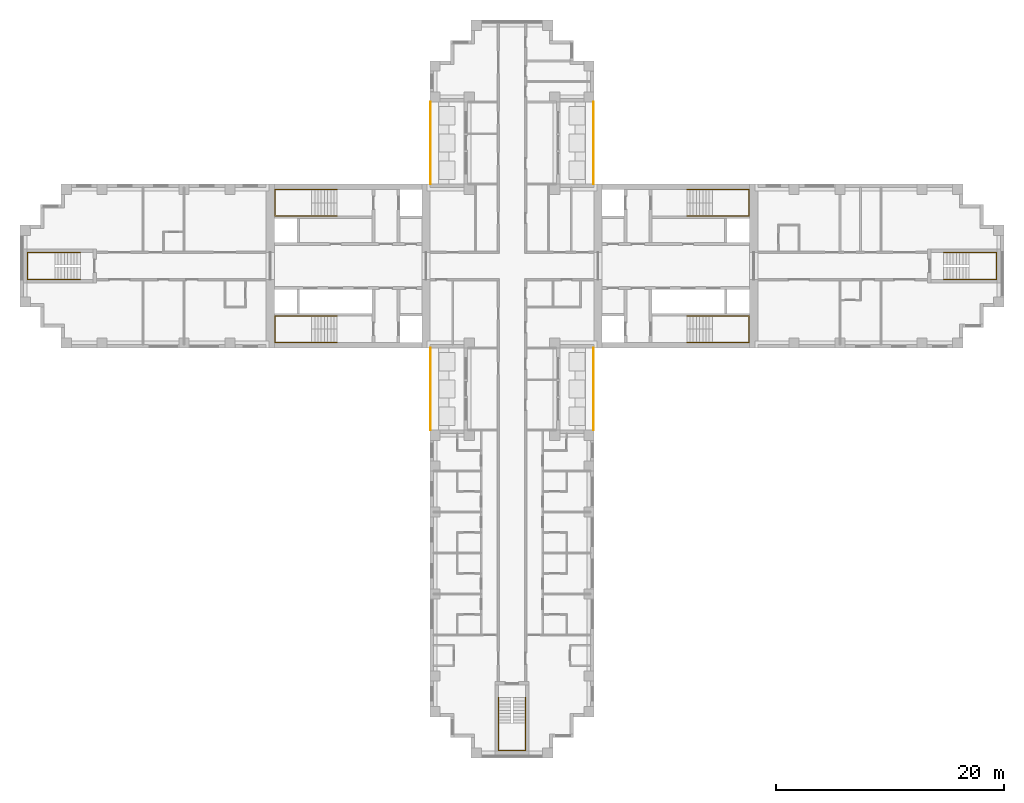
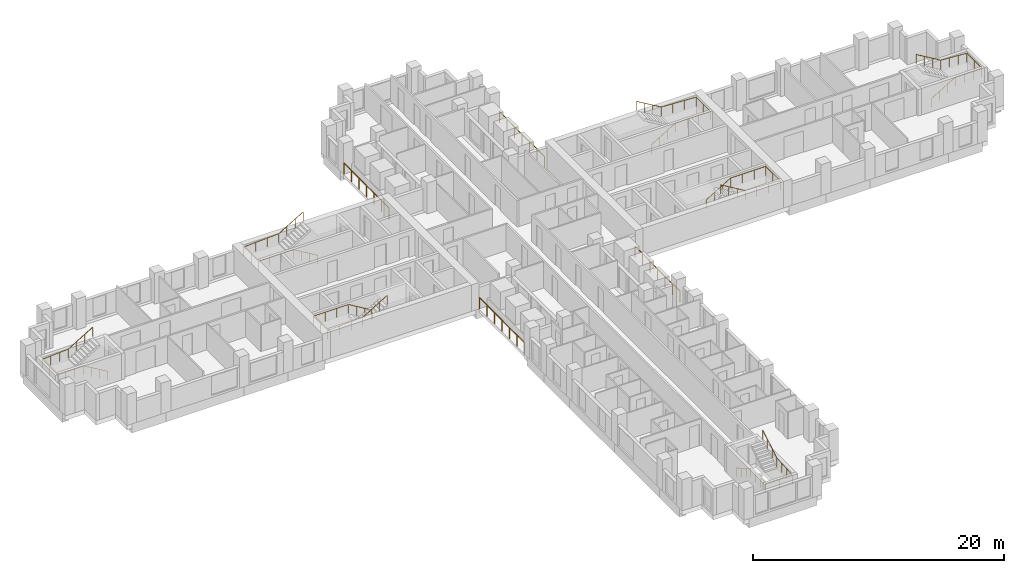
# One storey, part 13 of 14: 11 railings.
"""IFC4 building model written with IfcOpenShell, lengths in metres."""

from ifc_helpers import new_model, si_unit, direction, frame, origin, origin_2d, place, context, subcontext, project, spatial, circle, extrude, material, type_object, element, save


model = new_model("IFC4")

# Units and contexts
model_context = context("Model", 3, precision=1e-05, world=origin(), true_north=direction((0.0, 1.0)))
body_context = subcontext(model_context, "Body", "Model", "MODEL_VIEW")
ifc_project = project(units=[si_unit("LENGTHUNIT", "METRE"), si_unit("AREAUNIT", "SQUARE_METRE"), si_unit("VOLUMEUNIT", "CUBIC_METRE"), si_unit("PLANEANGLEUNIT", "RADIAN"), si_unit("MASSUNIT", "GRAM", prefix="KILO")], contexts=[model_context])

# Site, building, storey
site_placement = place(None, origin())
site = spatial("IfcSite", under=ifc_project, at=site_placement, CompositionType="ELEMENT")
building_placement = place(site_placement, origin())
building = spatial("IfcBuilding", under=site, at=building_placement, Name="Fustian Cross Tower", CompositionType="ELEMENT")
storey_placement = place(building_placement, frame((0.0, 0.0, 99.89990234375)))
storey = spatial("IfcBuildingStorey", under=building, at=storey_placement, Name="L31", CompositionType="ELEMENT", Elevation=99.89990234375)

# Railings
ifc_material_1 = material(Name="Stainless steel and glass", Category="steel")
railing_type_1 = type_object("IfcRailingType", Name="GR1 BALCONY GUARD 1100", PredefinedType="GUARDRAIL", material=ifc_material_1)
for number, where, name in (
    (1, (7.14990234375, 7.199951171875, 0.0), "Balcony guard"),
    (2, (-7.14990234375, 7.199951171875, 0.0), "Balcony guard"),
    (3, (7.14990234375, -14.39990234375, 0.0), "Balcony guard"),
    (4, (-7.14990234375, -14.39990234375, 0.0), "Balcony guard"),
):
    element("IfcRailing", number, at=place(storey_placement, frame(where)), inside=storey, type_object=railing_type_1, Name=name, PredefinedType="GUARDRAIL", context=body_context, shape_type="SweptSolid", body=[
        extrude(circle(Radius=0.02392578125, at=origin_2d()), frame((0.0, 0.0, 1.076171875), z_axis=(0.0, 1.0, 0.0), x_axis=(-1.0, 0.0, 0.0)), (0.0, 0.0, 1.0), 7.199951171875),
        extrude(circle(Radius=0.02099609375, at=origin_2d()), origin(), (0.0, 0.0, 1.0), 1.052001953125),
        extrude(circle(Radius=0.02099609375, at=origin_2d()), frame((0.0, 1.199951171875, 0.0)), (0.0, 0.0, 1.0), 1.052001953125),
        extrude(circle(Radius=0.02099609375, at=origin_2d()), frame((0.0, 2.39990234375, 0.0)), (0.0, 0.0, 1.0), 1.052001953125),
        extrude(circle(Radius=0.02099609375, at=origin_2d()), frame((0.0, 3.60009765625, 0.0)), (0.0, 0.0, 1.0), 1.052001953125),
        extrude(circle(Radius=0.02099609375, at=origin_2d()), frame((0.0, 4.800048828125, 0.0)), (0.0, 0.0, 1.0), 1.052001953125),
        extrude(circle(Radius=0.02099609375, at=origin_2d()), frame((0.0, 6.0, 0.0)), (0.0, 0.0, 1.0), 1.052001953125),
        extrude(circle(Radius=0.02099609375, at=origin_2d()), frame((0.0, 7.199951171875, 0.0)), (0.0, 0.0, 1.0), 1.052001953125),
    ])
ifc_material_2 = material(Name="Stainless steel", Category="steel")
railing_type_2 = type_object("IfcRailingType", Name="STAIR HANDRAIL", PredefinedType="HANDRAIL", material=ifc_material_2)
railing_1_placement = place(storey_placement, frame((15.35009765625, 4.39990234375, 0.166748046875)))
element("IfcRailing", 5, at=railing_1_placement, inside=storey, type_object=railing_type_2, Name="Stair ST1 handrail 1", PredefinedType="HANDRAIL", context=body_context, shape_type="SweptSolid", body=[
    extrude(circle(Radius=0.02490234375, at=origin_2d()), frame((0.0, 0.0, 0.875), z_axis=(0.859305625298, 0.0, 0.511462454469), x_axis=(0.0, 1.0, 0.0)), (0.0, 0.0, 1.0), 2.606689453125),
    extrude(circle(Radius=0.02490234375, at=origin_2d()), frame((2.239990234375, 0.0, 2.2080078125), z_axis=(1.0, 0.0, 0.0), x_axis=(0.0, 1.0, 0.0)), (0.0, 0.0, 1.0), 3.219970703125),
    extrude(circle(Radius=0.02490234375, at=origin_2d()), frame((5.4599609375, 0.0, 2.2080078125), z_axis=(0.0, 1.0, 0.0), x_axis=(-1.0, 0.0, 0.0)), (0.0, 0.0, 1.0), 2.300048828125),
    extrude(circle(Radius=0.02490234375, at=origin_2d()), frame((5.4599609375, 2.300048828125, 2.2080078125), z_axis=(-0.998661817807, 0.0, 0.051716280352), x_axis=(0.0, -1.0, 0.0)), (0.0, 0.0, 1.0), 3.224365234375),
    extrude(circle(Radius=0.02490234375, at=origin_2d()), frame((2.239990234375, 2.300048828125, 2.375), z_axis=(-0.859305625298, 0.0, 0.511462454469), x_axis=(0.0, -1.0, 0.0)), (0.0, 0.0, 1.0), 2.606689453125),
    extrude(circle(Radius=0.02001953125, at=origin_2d()), origin(), (0.0, 0.0, 1.0), 0.849853515625),
    extrude(circle(Radius=0.02001953125, at=origin_2d()), frame((0.74658203125, 0.0, 0.4443359375)), (0.0, 0.0, 1.0), 0.849853515625),
    extrude(circle(Radius=0.02001953125, at=origin_2d()), frame((1.493408203125, 0.0, 0.888916015625)), (0.0, 0.0, 1.0), 0.849853515625),
    extrude(circle(Radius=0.02001953125, at=origin_2d()), frame((2.239990234375, 0.0, 1.333251953125)), (0.0, 0.0, 1.0), 0.849853515625),
    extrude(circle(Radius=0.02001953125, at=origin_2d()), frame((3.313232421875, 0.0, 1.333251953125)), (0.0, 0.0, 1.0), 0.849853515625),
    extrude(circle(Radius=0.02001953125, at=origin_2d()), frame((4.38671875, 0.0, 1.333251953125)), (0.0, 0.0, 1.0), 0.849853515625),
    extrude(circle(Radius=0.02001953125, at=origin_2d()), frame((5.4599609375, 0.0, 1.333251953125)), (0.0, 0.0, 1.0), 0.849853515625),
    extrude(circle(Radius=0.02001953125, at=origin_2d()), frame((5.4599609375, 1.14990234375, 1.333251953125)), (0.0, 0.0, 1.0), 0.849853515625),
    extrude(circle(Radius=0.02001953125, at=origin_2d()), frame((5.4599609375, 2.300048828125, 1.333251953125)), (0.0, 0.0, 1.0), 0.849853515625),
    extrude(circle(Radius=0.02001953125, at=origin_2d()), frame((4.38671875, 2.300048828125, 1.388916015625)), (0.0, 0.0, 1.0), 0.849853515625),
    extrude(circle(Radius=0.02001953125, at=origin_2d()), frame((3.313232421875, 2.300048828125, 1.4443359375)), (0.0, 0.0, 1.0), 0.849853515625),
    extrude(circle(Radius=0.02001953125, at=origin_2d()), frame((2.239990234375, 2.300048828125, 1.5)), (0.0, 0.0, 1.0), 0.849853515625),
    extrude(circle(Radius=0.02001953125, at=origin_2d()), frame((1.493408203125, 2.300048828125, 1.9443359375)), (0.0, 0.0, 1.0), 0.849853515625),
    extrude(circle(Radius=0.02001953125, at=origin_2d()), frame((0.74658203125, 2.300048828125, 2.388916015625)), (0.0, 0.0, 1.0), 0.849853515625),
    extrude(circle(Radius=0.02001953125, at=origin_2d()), frame((0.0, 2.300048828125, 2.833251953125)), (0.0, 0.0, 1.0), 0.849853515625),
])
railing_2_placement = place(storey_placement, frame((15.35009765625, -4.39990234375, 0.166748046875)))
element("IfcRailing", 6, at=railing_2_placement, inside=storey, type_object=railing_type_2, Name="Stair ST2 handrail 1", PredefinedType="HANDRAIL", context=body_context, shape_type="SweptSolid", body=[
    extrude(circle(Radius=0.02490234375, at=origin_2d()), frame((0.0, 0.0, 0.875), z_axis=(0.859305625298, 0.0, 0.511462454469), x_axis=(0.0, 1.0, 0.0)), (0.0, 0.0, 1.0), 2.606689453125),
    extrude(circle(Radius=0.02490234375, at=origin_2d()), frame((2.239990234375, 0.0, 2.2080078125), z_axis=(1.0, 0.0, 0.0), x_axis=(0.0, 1.0, 0.0)), (0.0, 0.0, 1.0), 3.219970703125),
    extrude(circle(Radius=0.02490234375, at=origin_2d()), frame((5.4599609375, 0.0, 2.2080078125), z_axis=(0.0, -1.0, 0.0), x_axis=(1.0, 0.0, 0.0)), (0.0, 0.0, 1.0), 2.300048828125),
    extrude(circle(Radius=0.02490234375, at=origin_2d()), frame((5.4599609375, -2.300048828125, 2.2080078125), z_axis=(-0.998661817807, 0.0, 0.051716280352), x_axis=(0.0, -1.0, 0.0)), (0.0, 0.0, 1.0), 3.224365234375),
    extrude(circle(Radius=0.02490234375, at=origin_2d()), frame((2.239990234375, -2.300048828125, 2.375), z_axis=(-0.859305625298, 0.0, 0.511462454469), x_axis=(0.0, -1.0, 0.0)), (0.0, 0.0, 1.0), 2.606689453125),
    extrude(circle(Radius=0.02001953125, at=origin_2d()), origin(), (0.0, 0.0, 1.0), 0.849853515625),
    extrude(circle(Radius=0.02001953125, at=origin_2d()), frame((0.74658203125, 0.0, 0.4443359375)), (0.0, 0.0, 1.0), 0.849853515625),
    extrude(circle(Radius=0.02001953125, at=origin_2d()), frame((1.493408203125, 0.0, 0.888916015625)), (0.0, 0.0, 1.0), 0.849853515625),
    extrude(circle(Radius=0.02001953125, at=origin_2d()), frame((2.239990234375, 0.0, 1.333251953125)), (0.0, 0.0, 1.0), 0.849853515625),
    extrude(circle(Radius=0.02001953125, at=origin_2d()), frame((3.313232421875, 0.0, 1.333251953125)), (0.0, 0.0, 1.0), 0.849853515625),
    extrude(circle(Radius=0.02001953125, at=origin_2d()), frame((4.38671875, 0.0, 1.333251953125)), (0.0, 0.0, 1.0), 0.849853515625),
    extrude(circle(Radius=0.02001953125, at=origin_2d()), frame((5.4599609375, 0.0, 1.333251953125)), (0.0, 0.0, 1.0), 0.849853515625),
    extrude(circle(Radius=0.02001953125, at=origin_2d()), frame((5.4599609375, -1.14990234375, 1.333251953125)), (0.0, 0.0, 1.0), 0.849853515625),
    extrude(circle(Radius=0.02001953125, at=origin_2d()), frame((5.4599609375, -2.300048828125, 1.333251953125)), (0.0, 0.0, 1.0), 0.849853515625),
    extrude(circle(Radius=0.02001953125, at=origin_2d()), frame((4.38671875, -2.300048828125, 1.388916015625)), (0.0, 0.0, 1.0), 0.849853515625),
    extrude(circle(Radius=0.02001953125, at=origin_2d()), frame((3.313232421875, -2.300048828125, 1.4443359375)), (0.0, 0.0, 1.0), 0.849853515625),
    extrude(circle(Radius=0.02001953125, at=origin_2d()), frame((2.239990234375, -2.300048828125, 1.5)), (0.0, 0.0, 1.0), 0.849853515625),
    extrude(circle(Radius=0.02001953125, at=origin_2d()), frame((1.493408203125, -2.300048828125, 1.9443359375)), (0.0, 0.0, 1.0), 0.849853515625),
    extrude(circle(Radius=0.02001953125, at=origin_2d()), frame((0.74658203125, -2.300048828125, 2.388916015625)), (0.0, 0.0, 1.0), 0.849853515625),
    extrude(circle(Radius=0.02001953125, at=origin_2d()), frame((0.0, -2.300048828125, 2.833251953125)), (0.0, 0.0, 1.0), 0.849853515625),
])
railing_3_placement = place(storey_placement, frame((-15.35009765625, 4.39990234375, 0.166748046875)))
element("IfcRailing", 7, at=railing_3_placement, inside=storey, type_object=railing_type_2, Name="Stair ST3 handrail 1", PredefinedType="HANDRAIL", context=body_context, shape_type="SweptSolid", body=[
    extrude(circle(Radius=0.02490234375, at=origin_2d()), frame((0.0, 0.0, 0.875), z_axis=(-0.859305625298, 0.0, 0.511462454469), x_axis=(0.0, -1.0, 0.0)), (0.0, 0.0, 1.0), 2.606689453125),
    extrude(circle(Radius=0.02490234375, at=origin_2d()), frame((-2.239990234375, 0.0, 2.2080078125), z_axis=(-1.0, 0.0, 0.0), x_axis=(0.0, -1.0, 0.0)), (0.0, 0.0, 1.0), 3.219970703125),
    extrude(circle(Radius=0.02490234375, at=origin_2d()), frame((-5.4599609375, 0.0, 2.2080078125), z_axis=(0.0, 1.0, 0.0), x_axis=(-1.0, 0.0, 0.0)), (0.0, 0.0, 1.0), 2.300048828125),
    extrude(circle(Radius=0.02490234375, at=origin_2d()), frame((-5.4599609375, 2.300048828125, 2.2080078125), z_axis=(0.998661817807, 0.0, 0.051716280352), x_axis=(0.0, 1.0, 0.0)), (0.0, 0.0, 1.0), 3.224365234375),
    extrude(circle(Radius=0.02490234375, at=origin_2d()), frame((-2.239990234375, 2.300048828125, 2.375), z_axis=(0.859305625298, 0.0, 0.511462454469), x_axis=(0.0, 1.0, 0.0)), (0.0, 0.0, 1.0), 2.606689453125),
    extrude(circle(Radius=0.02001953125, at=origin_2d()), origin(), (0.0, 0.0, 1.0), 0.849853515625),
    extrude(circle(Radius=0.02001953125, at=origin_2d()), frame((-0.74658203125, 0.0, 0.4443359375)), (0.0, 0.0, 1.0), 0.849853515625),
    extrude(circle(Radius=0.02001953125, at=origin_2d()), frame((-1.493408203125, 0.0, 0.888916015625)), (0.0, 0.0, 1.0), 0.849853515625),
    extrude(circle(Radius=0.02001953125, at=origin_2d()), frame((-2.239990234375, 0.0, 1.333251953125)), (0.0, 0.0, 1.0), 0.849853515625),
    extrude(circle(Radius=0.02001953125, at=origin_2d()), frame((-3.313232421875, 0.0, 1.333251953125)), (0.0, 0.0, 1.0), 0.849853515625),
    extrude(circle(Radius=0.02001953125, at=origin_2d()), frame((-4.38671875, 0.0, 1.333251953125)), (0.0, 0.0, 1.0), 0.849853515625),
    extrude(circle(Radius=0.02001953125, at=origin_2d()), frame((-5.4599609375, 0.0, 1.333251953125)), (0.0, 0.0, 1.0), 0.849853515625),
    extrude(circle(Radius=0.02001953125, at=origin_2d()), frame((-5.4599609375, 1.14990234375, 1.333251953125)), (0.0, 0.0, 1.0), 0.849853515625),
    extrude(circle(Radius=0.02001953125, at=origin_2d()), frame((-5.4599609375, 2.300048828125, 1.333251953125)), (0.0, 0.0, 1.0), 0.849853515625),
    extrude(circle(Radius=0.02001953125, at=origin_2d()), frame((-4.38671875, 2.300048828125, 1.388916015625)), (0.0, 0.0, 1.0), 0.849853515625),
    extrude(circle(Radius=0.02001953125, at=origin_2d()), frame((-3.313232421875, 2.300048828125, 1.4443359375)), (0.0, 0.0, 1.0), 0.849853515625),
    extrude(circle(Radius=0.02001953125, at=origin_2d()), frame((-2.239990234375, 2.300048828125, 1.5)), (0.0, 0.0, 1.0), 0.849853515625),
    extrude(circle(Radius=0.02001953125, at=origin_2d()), frame((-1.493408203125, 2.300048828125, 1.9443359375)), (0.0, 0.0, 1.0), 0.849853515625),
    extrude(circle(Radius=0.02001953125, at=origin_2d()), frame((-0.74658203125, 2.300048828125, 2.388916015625)), (0.0, 0.0, 1.0), 0.849853515625),
    extrude(circle(Radius=0.02001953125, at=origin_2d()), frame((0.0, 2.300048828125, 2.833251953125)), (0.0, 0.0, 1.0), 0.849853515625),
])
railing_4_placement = place(storey_placement, frame((-15.35009765625, -4.39990234375, 0.166748046875)))
element("IfcRailing", 8, at=railing_4_placement, inside=storey, type_object=railing_type_2, Name="Stair ST4 handrail 1", PredefinedType="HANDRAIL", context=body_context, shape_type="SweptSolid", body=[
    extrude(circle(Radius=0.02490234375, at=origin_2d()), frame((0.0, 0.0, 0.875), z_axis=(-0.859305625298, 0.0, 0.511462454469), x_axis=(0.0, -1.0, 0.0)), (0.0, 0.0, 1.0), 2.606689453125),
    extrude(circle(Radius=0.02490234375, at=origin_2d()), frame((-2.239990234375, 0.0, 2.2080078125), z_axis=(-1.0, 0.0, 0.0), x_axis=(0.0, -1.0, 0.0)), (0.0, 0.0, 1.0), 3.219970703125),
    extrude(circle(Radius=0.02490234375, at=origin_2d()), frame((-5.4599609375, 0.0, 2.2080078125), z_axis=(0.0, -1.0, 0.0), x_axis=(1.0, 0.0, 0.0)), (0.0, 0.0, 1.0), 2.300048828125),
    extrude(circle(Radius=0.02490234375, at=origin_2d()), frame((-5.4599609375, -2.300048828125, 2.2080078125), z_axis=(0.998661817807, 0.0, 0.051716280352), x_axis=(0.0, 1.0, 0.0)), (0.0, 0.0, 1.0), 3.224365234375),
    extrude(circle(Radius=0.02490234375, at=origin_2d()), frame((-2.239990234375, -2.300048828125, 2.375), z_axis=(0.859305625298, 0.0, 0.511462454469), x_axis=(0.0, 1.0, 0.0)), (0.0, 0.0, 1.0), 2.606689453125),
    extrude(circle(Radius=0.02001953125, at=origin_2d()), origin(), (0.0, 0.0, 1.0), 0.849853515625),
    extrude(circle(Radius=0.02001953125, at=origin_2d()), frame((-0.74658203125, 0.0, 0.4443359375)), (0.0, 0.0, 1.0), 0.849853515625),
    extrude(circle(Radius=0.02001953125, at=origin_2d()), frame((-1.493408203125, 0.0, 0.888916015625)), (0.0, 0.0, 1.0), 0.849853515625),
    extrude(circle(Radius=0.02001953125, at=origin_2d()), frame((-2.239990234375, 0.0, 1.333251953125)), (0.0, 0.0, 1.0), 0.849853515625),
    extrude(circle(Radius=0.02001953125, at=origin_2d()), frame((-3.313232421875, 0.0, 1.333251953125)), (0.0, 0.0, 1.0), 0.849853515625),
    extrude(circle(Radius=0.02001953125, at=origin_2d()), frame((-4.38671875, 0.0, 1.333251953125)), (0.0, 0.0, 1.0), 0.849853515625),
    extrude(circle(Radius=0.02001953125, at=origin_2d()), frame((-5.4599609375, 0.0, 1.333251953125)), (0.0, 0.0, 1.0), 0.849853515625),
    extrude(circle(Radius=0.02001953125, at=origin_2d()), frame((-5.4599609375, -1.14990234375, 1.333251953125)), (0.0, 0.0, 1.0), 0.849853515625),
    extrude(circle(Radius=0.02001953125, at=origin_2d()), frame((-5.4599609375, -2.300048828125, 1.333251953125)), (0.0, 0.0, 1.0), 0.849853515625),
    extrude(circle(Radius=0.02001953125, at=origin_2d()), frame((-4.38671875, -2.300048828125, 1.388916015625)), (0.0, 0.0, 1.0), 0.849853515625),
    extrude(circle(Radius=0.02001953125, at=origin_2d()), frame((-3.313232421875, -2.300048828125, 1.4443359375)), (0.0, 0.0, 1.0), 0.849853515625),
    extrude(circle(Radius=0.02001953125, at=origin_2d()), frame((-2.239990234375, -2.300048828125, 1.5)), (0.0, 0.0, 1.0), 0.849853515625),
    extrude(circle(Radius=0.02001953125, at=origin_2d()), frame((-1.493408203125, -2.300048828125, 1.9443359375)), (0.0, 0.0, 1.0), 0.849853515625),
    extrude(circle(Radius=0.02001953125, at=origin_2d()), frame((-0.74658203125, -2.300048828125, 2.388916015625)), (0.0, 0.0, 1.0), 0.849853515625),
    extrude(circle(Radius=0.02001953125, at=origin_2d()), frame((0.0, -2.300048828125, 2.833251953125)), (0.0, 0.0, 1.0), 0.849853515625),
])
railing_5_placement = place(storey_placement, frame((-1.199951171875, -37.89990234375, 0.166748046875)))
element("IfcRailing", 9, at=railing_5_placement, inside=storey, type_object=railing_type_2, Name="Stair ST6 handrail 1", PredefinedType="HANDRAIL", context=body_context, shape_type="SweptSolid", body=[
    extrude(circle(Radius=0.02490234375, at=origin_2d()), frame((0.0, 0.0, 0.875), z_axis=(0.0, -0.859305625298, 0.511462454469), x_axis=(1.0, 0.0, 0.0)), (0.0, 0.0, 1.0), 2.606689453125),
    extrude(circle(Radius=0.02490234375, at=origin_2d()), frame((0.0, -2.239990234375, 2.2080078125), z_axis=(0.0, -1.0, 0.0), x_axis=(1.0, 0.0, 0.0)), (0.0, 0.0, 1.0), 2.420166015625),
    extrude(circle(Radius=0.02490234375, at=origin_2d()), frame((0.0, -4.66015625, 2.2080078125), z_axis=(1.0, 0.0, 0.0), x_axis=(0.0, 1.0, 0.0)), (0.0, 0.0, 1.0), 2.39990234375),
    extrude(circle(Radius=0.02490234375, at=origin_2d()), frame((2.39990234375, -4.66015625, 2.2080078125), z_axis=(0.0, 0.997634852044, 0.068736467663), x_axis=(-1.0, 0.0, 0.0)), (0.0, 0.0, 1.0), 2.426025390625),
    extrude(circle(Radius=0.02490234375, at=origin_2d()), frame((2.39990234375, -2.239990234375, 2.375), z_axis=(0.0, 0.859305625298, 0.511462454469), x_axis=(-1.0, 0.0, 0.0)), (0.0, 0.0, 1.0), 2.606689453125),
    extrude(circle(Radius=0.02001953125, at=origin_2d()), origin(), (0.0, 0.0, 1.0), 0.849853515625),
    extrude(circle(Radius=0.02001953125, at=origin_2d()), frame((0.0, -0.74658203125, 0.4443359375)), (0.0, 0.0, 1.0), 0.849853515625),
    extrude(circle(Radius=0.02001953125, at=origin_2d()), frame((0.0, -1.493408203125, 0.888916015625)), (0.0, 0.0, 1.0), 0.849853515625),
    extrude(circle(Radius=0.02001953125, at=origin_2d()), frame((0.0, -2.239990234375, 1.333251953125)), (0.0, 0.0, 1.0), 0.849853515625),
    extrude(circle(Radius=0.02001953125, at=origin_2d()), frame((0.0, -3.046630859375, 1.333251953125)), (0.0, 0.0, 1.0), 0.849853515625),
    extrude(circle(Radius=0.02001953125, at=origin_2d()), frame((0.0, -3.853515625, 1.333251953125)), (0.0, 0.0, 1.0), 0.849853515625),
    extrude(circle(Radius=0.02001953125, at=origin_2d()), frame((0.0, -4.66015625, 1.333251953125)), (0.0, 0.0, 1.0), 0.849853515625),
    extrude(circle(Radius=0.02001953125, at=origin_2d()), frame((1.199951171875, -4.66015625, 1.333251953125)), (0.0, 0.0, 1.0), 0.849853515625),
    extrude(circle(Radius=0.02001953125, at=origin_2d()), frame((2.39990234375, -4.66015625, 1.333251953125)), (0.0, 0.0, 1.0), 0.849853515625),
    extrude(circle(Radius=0.02001953125, at=origin_2d()), frame((2.39990234375, -3.853515625, 1.388916015625)), (0.0, 0.0, 1.0), 0.849853515625),
    extrude(circle(Radius=0.02001953125, at=origin_2d()), frame((2.39990234375, -3.046630859375, 1.4443359375)), (0.0, 0.0, 1.0), 0.849853515625),
    extrude(circle(Radius=0.02001953125, at=origin_2d()), frame((2.39990234375, -2.239990234375, 1.5)), (0.0, 0.0, 1.0), 0.849853515625),
    extrude(circle(Radius=0.02001953125, at=origin_2d()), frame((2.39990234375, -1.493408203125, 1.9443359375)), (0.0, 0.0, 1.0), 0.849853515625),
    extrude(circle(Radius=0.02001953125, at=origin_2d()), frame((2.39990234375, -0.74658203125, 2.388916015625)), (0.0, 0.0, 1.0), 0.849853515625),
    extrude(circle(Radius=0.02001953125, at=origin_2d()), frame((2.39990234375, 0.0, 2.833251953125)), (0.0, 0.0, 1.0), 0.849853515625),
])
railing_6_placement = place(storey_placement, frame((37.89990234375, -1.199951171875, 0.166748046875)))
element("IfcRailing", 10, at=railing_6_placement, inside=storey, type_object=railing_type_2, Name="Stair ST8 handrail 1", PredefinedType="HANDRAIL", context=body_context, shape_type="SweptSolid", body=[
    extrude(circle(Radius=0.02490234375, at=origin_2d()), frame((0.0, 0.0, 0.875), z_axis=(0.859305625298, 0.0, 0.511462454469), x_axis=(0.0, 1.0, 0.0)), (0.0, 0.0, 1.0), 2.606689453125),
    extrude(circle(Radius=0.02490234375, at=origin_2d()), frame((2.239990234375, 0.0, 2.2080078125), z_axis=(1.0, 0.0, 0.0), x_axis=(0.0, 1.0, 0.0)), (0.0, 0.0, 1.0), 2.420166015625),
    extrude(circle(Radius=0.02490234375, at=origin_2d()), frame((4.66015625, 0.0, 2.2080078125), z_axis=(0.0, 1.0, 0.0), x_axis=(-1.0, 0.0, 0.0)), (0.0, 0.0, 1.0), 2.39990234375),
    extrude(circle(Radius=0.02490234375, at=origin_2d()), frame((4.66015625, 2.39990234375, 2.2080078125), z_axis=(-0.997634852044, 0.0, 0.068736467663), x_axis=(0.0, -1.0, 0.0)), (0.0, 0.0, 1.0), 2.426025390625),
    extrude(circle(Radius=0.02490234375, at=origin_2d()), frame((2.239990234375, 2.39990234375, 2.375), z_axis=(-0.859305625298, 0.0, 0.511462454469), x_axis=(0.0, -1.0, 0.0)), (0.0, 0.0, 1.0), 2.606689453125),
    extrude(circle(Radius=0.02001953125, at=origin_2d()), origin(), (0.0, 0.0, 1.0), 0.849853515625),
    extrude(circle(Radius=0.02001953125, at=origin_2d()), frame((0.74658203125, 0.0, 0.4443359375)), (0.0, 0.0, 1.0), 0.849853515625),
    extrude(circle(Radius=0.02001953125, at=origin_2d()), frame((1.493408203125, 0.0, 0.888916015625)), (0.0, 0.0, 1.0), 0.849853515625),
    extrude(circle(Radius=0.02001953125, at=origin_2d()), frame((2.239990234375, 0.0, 1.333251953125)), (0.0, 0.0, 1.0), 0.849853515625),
    extrude(circle(Radius=0.02001953125, at=origin_2d()), frame((3.046630859375, 0.0, 1.333251953125)), (0.0, 0.0, 1.0), 0.849853515625),
    extrude(circle(Radius=0.02001953125, at=origin_2d()), frame((3.853515625, 0.0, 1.333251953125)), (0.0, 0.0, 1.0), 0.849853515625),
    extrude(circle(Radius=0.02001953125, at=origin_2d()), frame((4.66015625, 0.0, 1.333251953125)), (0.0, 0.0, 1.0), 0.849853515625),
    extrude(circle(Radius=0.02001953125, at=origin_2d()), frame((4.66015625, 1.199951171875, 1.333251953125)), (0.0, 0.0, 1.0), 0.849853515625),
    extrude(circle(Radius=0.02001953125, at=origin_2d()), frame((4.66015625, 2.39990234375, 1.333251953125)), (0.0, 0.0, 1.0), 0.849853515625),
    extrude(circle(Radius=0.02001953125, at=origin_2d()), frame((3.853515625, 2.39990234375, 1.388916015625)), (0.0, 0.0, 1.0), 0.849853515625),
    extrude(circle(Radius=0.02001953125, at=origin_2d()), frame((3.046630859375, 2.39990234375, 1.4443359375)), (0.0, 0.0, 1.0), 0.849853515625),
    extrude(circle(Radius=0.02001953125, at=origin_2d()), frame((2.239990234375, 2.39990234375, 1.5)), (0.0, 0.0, 1.0), 0.849853515625),
    extrude(circle(Radius=0.02001953125, at=origin_2d()), frame((1.493408203125, 2.39990234375, 1.9443359375)), (0.0, 0.0, 1.0), 0.849853515625),
    extrude(circle(Radius=0.02001953125, at=origin_2d()), frame((0.74658203125, 2.39990234375, 2.388916015625)), (0.0, 0.0, 1.0), 0.849853515625),
    extrude(circle(Radius=0.02001953125, at=origin_2d()), frame((0.0, 2.39990234375, 2.833251953125)), (0.0, 0.0, 1.0), 0.849853515625),
])
railing_7_placement = place(storey_placement, frame((-37.89990234375, -1.199951171875, 0.166748046875)))
element("IfcRailing", 11, at=railing_7_placement, inside=storey, type_object=railing_type_2, Name="Stair ST9 handrail 1", PredefinedType="HANDRAIL", context=body_context, shape_type="SweptSolid", body=[
    extrude(circle(Radius=0.02490234375, at=origin_2d()), frame((0.0, 0.0, 0.875), z_axis=(-0.859305625298, 0.0, 0.511462454469), x_axis=(0.0, -1.0, 0.0)), (0.0, 0.0, 1.0), 2.606689453125),
    extrude(circle(Radius=0.02490234375, at=origin_2d()), frame((-2.239990234375, 0.0, 2.2080078125), z_axis=(-1.0, 0.0, 0.0), x_axis=(0.0, -1.0, 0.0)), (0.0, 0.0, 1.0), 2.420166015625),
    extrude(circle(Radius=0.02490234375, at=origin_2d()), frame((-4.66015625, 0.0, 2.2080078125), z_axis=(0.0, 1.0, 0.0), x_axis=(-1.0, 0.0, 0.0)), (0.0, 0.0, 1.0), 2.39990234375),
    extrude(circle(Radius=0.02490234375, at=origin_2d()), frame((-4.66015625, 2.39990234375, 2.2080078125), z_axis=(0.997634852044, 0.0, 0.068736467663), x_axis=(0.0, 1.0, 0.0)), (0.0, 0.0, 1.0), 2.426025390625),
    extrude(circle(Radius=0.02490234375, at=origin_2d()), frame((-2.239990234375, 2.39990234375, 2.375), z_axis=(0.859305625298, 0.0, 0.511462454469), x_axis=(0.0, 1.0, 0.0)), (0.0, 0.0, 1.0), 2.606689453125),
    extrude(circle(Radius=0.02001953125, at=origin_2d()), origin(), (0.0, 0.0, 1.0), 0.849853515625),
    extrude(circle(Radius=0.02001953125, at=origin_2d()), frame((-0.74658203125, 0.0, 0.4443359375)), (0.0, 0.0, 1.0), 0.849853515625),
    extrude(circle(Radius=0.02001953125, at=origin_2d()), frame((-1.493408203125, 0.0, 0.888916015625)), (0.0, 0.0, 1.0), 0.849853515625),
    extrude(circle(Radius=0.02001953125, at=origin_2d()), frame((-2.239990234375, 0.0, 1.333251953125)), (0.0, 0.0, 1.0), 0.849853515625),
    extrude(circle(Radius=0.02001953125, at=origin_2d()), frame((-3.046630859375, 0.0, 1.333251953125)), (0.0, 0.0, 1.0), 0.849853515625),
    extrude(circle(Radius=0.02001953125, at=origin_2d()), frame((-3.853515625, 0.0, 1.333251953125)), (0.0, 0.0, 1.0), 0.849853515625),
    extrude(circle(Radius=0.02001953125, at=origin_2d()), frame((-4.66015625, 0.0, 1.333251953125)), (0.0, 0.0, 1.0), 0.849853515625),
    extrude(circle(Radius=0.02001953125, at=origin_2d()), frame((-4.66015625, 1.199951171875, 1.333251953125)), (0.0, 0.0, 1.0), 0.849853515625),
    extrude(circle(Radius=0.02001953125, at=origin_2d()), frame((-4.66015625, 2.39990234375, 1.333251953125)), (0.0, 0.0, 1.0), 0.849853515625),
    extrude(circle(Radius=0.02001953125, at=origin_2d()), frame((-3.853515625, 2.39990234375, 1.388916015625)), (0.0, 0.0, 1.0), 0.849853515625),
    extrude(circle(Radius=0.02001953125, at=origin_2d()), frame((-3.046630859375, 2.39990234375, 1.4443359375)), (0.0, 0.0, 1.0), 0.849853515625),
    extrude(circle(Radius=0.02001953125, at=origin_2d()), frame((-2.239990234375, 2.39990234375, 1.5)), (0.0, 0.0, 1.0), 0.849853515625),
    extrude(circle(Radius=0.02001953125, at=origin_2d()), frame((-1.493408203125, 2.39990234375, 1.9443359375)), (0.0, 0.0, 1.0), 0.849853515625),
    extrude(circle(Radius=0.02001953125, at=origin_2d()), frame((-0.74658203125, 2.39990234375, 2.388916015625)), (0.0, 0.0, 1.0), 0.849853515625),
    extrude(circle(Radius=0.02001953125, at=origin_2d()), frame((0.0, 2.39990234375, 2.833251953125)), (0.0, 0.0, 1.0), 0.849853515625),
])

save(model, "model.ifc")
